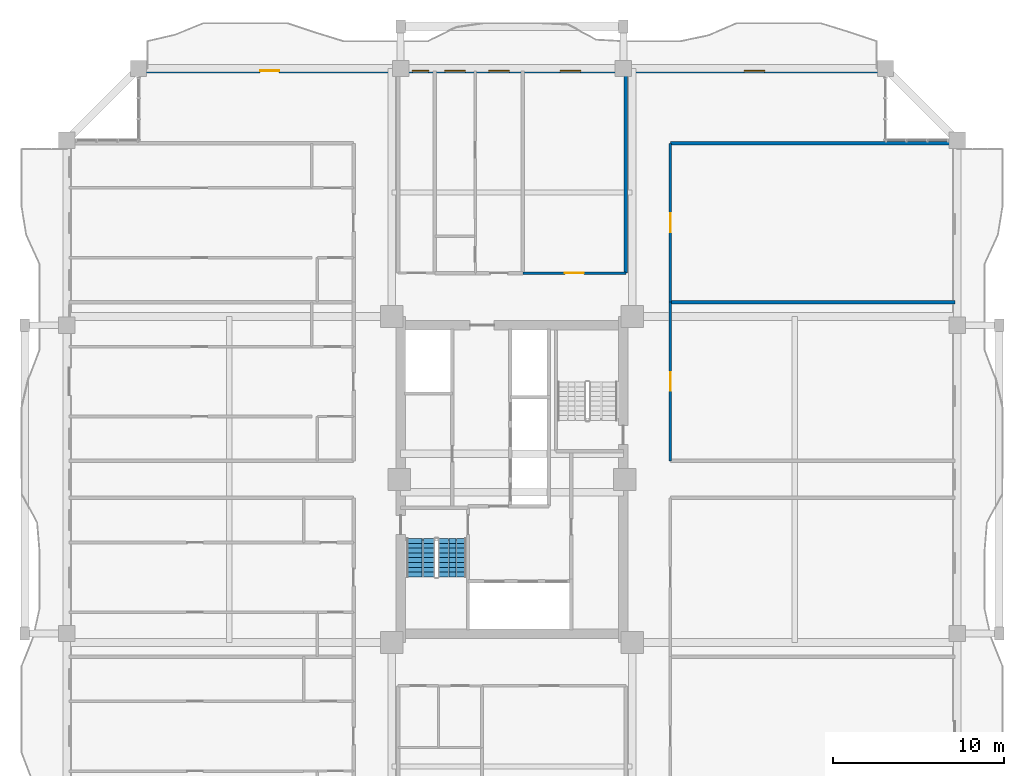
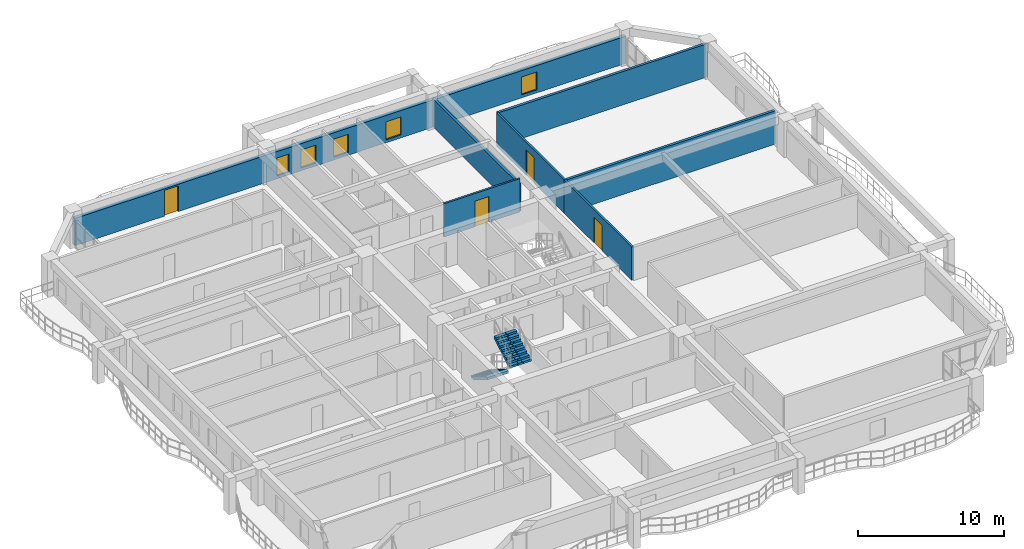
# One storey, part 17 of 22: 7 walls, 5 windows, 4 doors, 2 stair flights, 9 openings, 1 element without a shape of its own.
"""IFC4 building model written with IfcOpenShell, lengths in metres."""

from ifc_helpers import new_model, si_unit, direction, frame, frame_2d, origin, place, context, subcontext, project, spatial, polyline, rectangle, outline, extrude, source, transform, mapped, material, layer, layer_set, type_object, element, fill, aggregate, save


model = new_model("IFC4")

# Units and contexts
model_context = context("Model", 3, precision=1e-05, world=origin(), true_north=direction((0.0, 1.0)))
body_context = subcontext(model_context, "Body", "Model", "MODEL_VIEW")
ifc_project = project(units=[si_unit("LENGTHUNIT", "METRE"), si_unit("AREAUNIT", "SQUARE_METRE"), si_unit("VOLUMEUNIT", "CUBIC_METRE"), si_unit("PLANEANGLEUNIT", "RADIAN"), si_unit("MASSUNIT", "GRAM", prefix="KILO")], contexts=[model_context])

# Site, building, storey
site_placement = place(None, origin())
site = spatial("IfcSite", under=ifc_project, at=site_placement, CompositionType="ELEMENT")
building_placement = place(site_placement, origin())
building = spatial("IfcBuilding", under=site, at=building_placement, Name="Saelheon Loggia Tower", CompositionType="ELEMENT")
storey_placement = place(building_placement, frame((0.0, 0.0, 135.75)))
storey = spatial("IfcBuildingStorey", under=building, at=storey_placement, Name="L43", CompositionType="ELEMENT", Elevation=135.75)

# Wall, openings, windows, door
ifc_material_1 = material(Name="Architectural Precast Concrete C40/50", Category="concrete")
ifc_layer_1 = layer(ifc_material_1, 0.280029296875)
ifc_layer_set_1 = layer_set([ifc_layer_1], Name="Architectural Precast Concrete C40/50")
wall_type_1 = type_object("IfcWallType", Name="Wall_Ext_Loggia_280", PredefinedType="SOLIDWALL", material=ifc_layer_set_1)
wall_1_placement = place(storey_placement, frame((16.199951171875, 50.860107421875, 0.0), z_axis=(0.0, 0.0, 1.0), x_axis=(1.0, 0.0, 0.0)))
wall_1 = element("IfcWall", 1, at=wall_1_placement, inside=storey, type_object=wall_type_1, Name="L43 North Loggia Inner Wall", PredefinedType="SOLIDWALL", context=body_context, shape_type="SweptSolid", body=[
    extrude(rectangle(XDim=43.60009765625, YDim=0.280029296875, at=frame_2d((21.800048828125, 0.0))), origin(), (0.0, 0.0, 1.0), 2.280029296875),
])
opening_1_placement = place(wall_1_placement, frame((7.10009765625, 0.0, 0.0)))
opening_1 = element("IfcOpeningElement", 2, at=opening_1_placement, cuts=wall_1, Name="Opening TD1", PredefinedType="OPENING", context=body_context, shape_type="SweptSolid", body=[
    extrude(rectangle(XDim=1.10009765625, YDim=2.14990234375, at=frame_2d((0.550048828125, 1.074951171875))), frame((0.0, 0.152099609375, 0.0), z_axis=(0.0, -1.0, 0.0), x_axis=(1.0, 0.0, 0.0)), (0.0, 0.0, 1.0), 0.303955078125),
])
opening_2_placement = place(wall_1_placement, frame((15.982421875, 0.0, 0.25)))
opening_2 = element("IfcOpeningElement", 3, at=opening_2_placement, cuts=wall_1, Name="Opening WN-04", PredefinedType="OPENING", context=body_context, shape_type="SweptSolid", body=[
    extrude(rectangle(XDim=0.949951171875, YDim=1.5, at=frame_2d((0.47509765625, 0.75))), frame((0.0, 0.152099609375, 0.0), z_axis=(0.0, -1.0, 0.0), x_axis=(1.0, 0.0, 0.0)), (0.0, 0.0, 1.0), 0.303955078125),
])
opening_3_placement = place(wall_1_placement, frame((17.879638671875, 0.0, 0.25)))
opening_3 = element("IfcOpeningElement", 4, at=opening_3_placement, cuts=wall_1, Name="Opening WN-03", PredefinedType="OPENING", context=body_context, shape_type="SweptSolid", body=[
    extrude(rectangle(XDim=1.199951171875, YDim=1.5, at=frame_2d((0.60009765625, 0.75))), frame((0.0, 0.152099609375, 0.0), z_axis=(0.0, -1.0, 0.0), x_axis=(1.0, 0.0, 0.0)), (0.0, 0.0, 1.0), 0.303955078125),
])
opening_4_placement = place(wall_1_placement, frame((20.444091796875, 0.0, 0.25)))
opening_4 = element("IfcOpeningElement", 5, at=opening_4_placement, cuts=wall_1, Name="Opening WN-03", PredefinedType="OPENING", context=body_context, shape_type="SweptSolid", body=[
    extrude(rectangle(XDim=1.199951171875, YDim=1.5, at=frame_2d((0.60009765625, 0.75))), frame((0.0, 0.152099609375, 0.0), z_axis=(0.0, -1.0, 0.0), x_axis=(1.0, 0.0, 0.0)), (0.0, 0.0, 1.0), 0.303955078125),
])
opening_5_placement = place(wall_1_placement, frame((24.60693359375, 0.0, 0.25)))
opening_5 = element("IfcOpeningElement", 6, at=opening_5_placement, cuts=wall_1, Name="Opening WN-03", PredefinedType="OPENING", context=body_context, shape_type="SweptSolid", body=[
    extrude(rectangle(XDim=1.199951171875, YDim=1.5, at=frame_2d((0.60009765625, 0.75))), frame((0.0, 0.152099609375, 0.0), z_axis=(0.0, -1.0, 0.0), x_axis=(1.0, 0.0, 0.0)), (0.0, 0.0, 1.0), 0.303955078125),
])
opening_6_placement = place(wall_1_placement, frame((35.35009765625, 0.0, 0.25)))
opening_6 = element("IfcOpeningElement", 7, at=opening_6_placement, cuts=wall_1, Name="Opening WN-03", PredefinedType="OPENING", context=body_context, shape_type="SweptSolid", body=[
    extrude(rectangle(XDim=1.199951171875, YDim=1.5, at=frame_2d((0.60009765625, 0.75))), frame((0.0, 0.152099609375, 0.0), z_axis=(0.0, -1.0, 0.0), x_axis=(1.0, 0.0, 0.0)), (0.0, 0.0, 1.0), 0.303955078125),
])
ifc_material_2 = material(Name="Thermal-Break Aluminium and Triple Low-E Glass", Category="aluminium")
window_type_1 = type_object("IfcWindowType", Name="Win_Bedroom_1200x1500", PartitioningType="SINGLE_PANEL", PredefinedType="WINDOW", material=ifc_material_2)
shared_shape_1 = source(origin(), body_context, "Body", "SweptSolid", [
    extrude(rectangle(XDim=1.199951171875, YDim=1.5, at=frame_2d((0.60009765625, 0.75))), frame((0.0, 0.030029296875, 0.0), z_axis=(0.0, -1.0, 0.0), x_axis=(1.0, 0.0, 0.0)), (0.0, 0.0, 1.0), 0.06005859375),
])
window_1_placement = place(opening_3_placement, origin())
window_1 = element("IfcWindow", 8, at=window_1_placement, inside=storey, type_object=window_type_1, Name="L43 N Dwelling Window 3", OverallHeight=1.5, OverallWidth=1.199951171875, PartitioningType="SINGLE_PANEL", PredefinedType="WINDOW", context=body_context, shape_type="MappedRepresentation", body=[
    mapped(shared_shape_1, transform((0.0, 0.0, 0.0), scale=1.0)),
])
fill(opening_3, window_1)
window_2_placement = place(opening_4_placement, origin())
window_2 = element("IfcWindow", 9, at=window_2_placement, inside=storey, type_object=window_type_1, Name="L43 N Dwelling Window 4", OverallHeight=1.5, OverallWidth=1.199951171875, PartitioningType="SINGLE_PANEL", PredefinedType="WINDOW", context=body_context, shape_type="MappedRepresentation", body=[
    mapped(shared_shape_1, transform((0.0, 0.0, 0.0), scale=1.0)),
])
fill(opening_4, window_2)
window_3_placement = place(opening_5_placement, origin())
window_3 = element("IfcWindow", 10, at=window_3_placement, inside=storey, type_object=window_type_1, Name="L43 N Dwelling Window 5", OverallHeight=1.5, OverallWidth=1.199951171875, PartitioningType="SINGLE_PANEL", PredefinedType="WINDOW", context=body_context, shape_type="MappedRepresentation", body=[
    mapped(shared_shape_1, transform((0.0, 0.0, 0.0), scale=1.0)),
])
fill(opening_5, window_3)
window_4_placement = place(opening_6_placement, origin())
window_4 = element("IfcWindow", 11, at=window_4_placement, inside=storey, type_object=window_type_1, Name="L43 N Dwelling Window 6", OverallHeight=1.5, OverallWidth=1.199951171875, PartitioningType="SINGLE_PANEL", PredefinedType="WINDOW", context=body_context, shape_type="MappedRepresentation", body=[
    mapped(shared_shape_1, transform((0.0, 0.0, 0.0), scale=1.0)),
])
fill(opening_6, window_4)
ifc_material_3 = material(Name="Thermal-Break Aluminium Glazed Door", Category="aluminium")
door_type_1 = type_object("IfcDoorType", Name="Door_Terrace_TD1", OperationType="NOTDEFINED", PredefinedType="DOOR", material=ifc_material_3)
shared_shape_2 = source(origin(), body_context, "Body", "SweptSolid", [
    extrude(rectangle(XDim=1.10009765625, YDim=2.14990234375, at=frame_2d((0.550048828125, 1.074951171875))), frame((0.0, 0.02490234375, 0.0), z_axis=(0.0, -1.0, 0.0), x_axis=(1.0, 0.0, 0.0)), (0.0, 0.0, 1.0), 0.050048828125),
])
door_1_placement = place(opening_1_placement, origin())
door_1 = element("IfcDoor", 12, at=door_1_placement, inside=storey, type_object=door_type_1, Name="L43 N Loggia Access Door", OperationType="SINGLE_SWING_LEFT", OverallHeight=2.14990234375, OverallWidth=1.10009765625, PredefinedType="DOOR", context=body_context, shape_type="MappedRepresentation", body=[
    mapped(shared_shape_2, transform((0.0, 0.0, 0.0), scale=1.0)),
])
fill(opening_1, door_1)
window_type_2 = type_object("IfcWindowType", Name="Win_Narrow_950x1500", PartitioningType="SINGLE_PANEL", PredefinedType="WINDOW", material=ifc_material_2)
shared_shape_3 = source(origin(), body_context, "Body", "SweptSolid", [
    extrude(rectangle(XDim=0.949951171875, YDim=1.5, at=frame_2d((0.47509765625, 0.75))), frame((0.0, 0.030029296875, 0.0), z_axis=(0.0, -1.0, 0.0), x_axis=(1.0, 0.0, 0.0)), (0.0, 0.0, 1.0), 0.06005859375),
])
window_5_placement = place(opening_2_placement, origin())
window_5 = element("IfcWindow", 13, at=window_5_placement, inside=storey, type_object=window_type_2, Name="L43 N Dwelling Window 2", OverallHeight=1.5, OverallWidth=0.949951171875, PartitioningType="SINGLE_PANEL", PredefinedType="WINDOW", context=body_context, shape_type="MappedRepresentation", body=[
    mapped(shared_shape_3, transform((0.0, 0.0, 0.0), scale=1.0)),
])
fill(opening_2, window_5)

# Wall, opening, door
ifc_material_4 = material(Name="Lightweight Autoclaved Aerated Concrete Block and Acoustic Gypsum", Category="concrete")
ifc_layer_2 = layer(ifc_material_4, 0.14990234375)
ifc_layer_set_2 = layer_set([ifc_layer_2], Name="Lightweight Autoclaved Aerated Concrete Block and Acoustic Gypsum")
wall_type_2 = type_object("IfcWallType", Name="Wall_Part_150", PredefinedType="PARTITIONING", material=ifc_layer_set_2)
wall_2_placement = place(storey_placement, frame((38.62890625, 39.050048828125, 0.0), z_axis=(0.0, 0.0, 1.0), x_axis=(1.0, 0.0, 0.0)))
wall_2 = element("IfcWall", 14, at=wall_2_placement, inside=storey, type_object=wall_type_2, Name="L43 N Partition V12", PredefinedType="PARTITIONING", context=body_context, shape_type="SweptSolid", body=[
    extrude(rectangle(XDim=6.02099609375, YDim=0.14990234375, at=frame_2d((3.010498046875, 0.0))), origin(), (0.0, 0.0, 1.0), 2.7900390625),
])
opening_7_placement = place(wall_2_placement, frame((2.46044921875, 0.0, 0.0)))
opening_7 = element("IfcOpeningElement", 15, at=opening_7_placement, cuts=wall_2, Name="Opening D-FD2", PredefinedType="OPENING", context=body_context, shape_type="SweptSolid", body=[
    extrude(rectangle(XDim=1.10009765625, YDim=2.14990234375, at=frame_2d((0.550048828125, 1.074951171875))), frame((0.0, 0.0869140625, 0.0), z_axis=(0.0, -1.0, 0.0), x_axis=(1.0, 0.0, 0.0)), (0.0, 0.0, 1.0), 0.173828125),
])
ifc_material_5 = material(Name="Galvanised Steel Fire Door", Category="steel")
door_type_2 = type_object("IfcDoorType", Name="Door_Fire_FD60_1100", OperationType="NOTDEFINED", PredefinedType="DOOR", material=ifc_material_5)
door_2_placement = place(opening_7_placement, origin())
door_2 = element("IfcDoor", 16, at=door_2_placement, inside=storey, type_object=door_type_2, Name="L43 Community Reading Library Door A", OperationType="SINGLE_SWING_LEFT", OverallHeight=2.14990234375, OverallWidth=1.10009765625, PredefinedType="DOOR", context=body_context, shape_type="MappedRepresentation", body=[
    mapped(shared_shape_2, transform((0.0, 0.0, 0.0), scale=1.0)),
])
fill(opening_7, door_2)

wall_3_placement = place(storey_placement, frame((47.25, 28.080078125, 0.0), z_axis=(0.0, 0.0, 1.0), x_axis=(0.0, 1.0, 0.0)))
wall_3 = element("IfcWall", 17, at=wall_3_placement, inside=storey, type_object=wall_type_2, Name="L43 EN Partition V03", PredefinedType="PARTITIONING", context=body_context, shape_type="SweptSolid", body=[
    extrude(rectangle(XDim=9.27001953125, YDim=0.14990234375, at=frame_2d((4.635009765625, 0.0))), origin(), (0.0, 0.0, 1.0), 2.7900390625),
])
opening_8_placement = place(wall_3_placement, frame((4.0849609375, 0.0, 0.0)))
opening_8 = element("IfcOpeningElement", 18, at=opening_8_placement, cuts=wall_3, Name="Opening D-FD2", PredefinedType="OPENING", context=body_context, shape_type="SweptSolid", body=[
    extrude(rectangle(XDim=1.10009765625, YDim=2.14990234375, at=frame_2d((0.550048828125, 1.074951171875))), frame((0.0, 0.0869140625, 0.0), z_axis=(0.0, -1.0, 0.0), x_axis=(1.0, 0.0, 0.0)), (0.0, 0.0, 1.0), 0.173828125),
])
door_3_placement = place(opening_8_placement, origin())
door_3 = element("IfcDoor", 19, at=door_3_placement, inside=storey, type_object=door_type_2, Name="L43 Co-Working Open Plan Office Door A", OperationType="SINGLE_SWING_RIGHT", OverallHeight=2.14990234375, OverallWidth=1.10009765625, PredefinedType="DOOR", context=body_context, shape_type="MappedRepresentation", body=[
    mapped(shared_shape_2, transform((0.0, 0.0, 0.0), scale=1.0)),
])
fill(opening_8, door_3)

wall_4_placement = place(storey_placement, frame((47.25, 37.35009765625, 0.0), z_axis=(0.0, 0.0, 1.0), x_axis=(0.0, 1.0, 0.0)))
wall_4 = element("IfcWall", 20, at=wall_4_placement, inside=storey, type_object=wall_type_2, Name="L43 EN Partition V05", PredefinedType="PARTITIONING", context=body_context, shape_type="SweptSolid", body=[
    extrude(rectangle(XDim=9.27001953125, YDim=0.14990234375, at=frame_2d((4.635009765625, 0.0))), origin(), (0.0, 0.0, 1.0), 2.7900390625),
])
opening_9_placement = place(wall_4_placement, frame((4.0849609375, 0.0, 0.0)))
opening_9 = element("IfcOpeningElement", 21, at=opening_9_placement, cuts=wall_4, Name="Opening D-FD2", PredefinedType="OPENING", context=body_context, shape_type="SweptSolid", body=[
    extrude(rectangle(XDim=1.10009765625, YDim=2.14990234375, at=frame_2d((0.550048828125, 1.074951171875))), frame((0.0, 0.0869140625, 0.0), z_axis=(0.0, -1.0, 0.0), x_axis=(1.0, 0.0, 0.0)), (0.0, 0.0, 1.0), 0.173828125),
])
door_4_placement = place(opening_9_placement, origin())
door_4 = element("IfcDoor", 22, at=door_4_placement, inside=storey, type_object=door_type_2, Name="L43 Co-Working Open Plan Office Door A", OperationType="SINGLE_SWING_LEFT", OverallHeight=2.14990234375, OverallWidth=1.10009765625, PredefinedType="DOOR", context=body_context, shape_type="MappedRepresentation", body=[
    mapped(shared_shape_2, transform((0.0, 0.0, 0.0), scale=1.0)),
])
fill(opening_9, door_4)

# Walls
ifc_material_6 = material(Name="Double Acoustic Stud and Fireboard Partition", Category="gypsum")
ifc_layer_3 = layer(ifc_material_6, 0.199951171875)
ifc_layer_set_3 = layer_set([ifc_layer_3], Name="Double Acoustic Stud and Fireboard Partition")
wall_type_3 = type_object("IfcWallType", Name="Wall_Party_200", PredefinedType="PARTITIONING", material=ifc_layer_set_3)
wall_5_placement = place(storey_placement, frame((44.64990234375, 39.050048828125, 0.0), z_axis=(0.0, 0.0, 1.0), x_axis=(0.0, 1.0, 0.0)))
element("IfcWall", 23, at=wall_5_placement, inside=storey, type_object=wall_type_3, Name="L43 N Partition U02", PredefinedType="PARTITIONING", context=body_context, shape_type="SweptSolid", body=[
    extrude(rectangle(XDim=11.800048828125, YDim=0.199951171875, at=frame_2d((5.89990234375, 0.0))), origin(), (0.0, 0.0, 1.0), 2.340087890625),
])
for number, where, z_axis, x_axis, name in (
    (24, (47.25, 46.6201171875, 0.0), (0.0, 0.0, 1.0), (1.0, 0.0, 0.0), "L43 EN Partition U02"),
    (25, (47.25, 37.35009765625, 0.0), (0.0, 0.0, 1.0), (1.0, 0.0, 0.0), "L43 EN Partition U04"),
):
    element("IfcWall", number, at=place(storey_placement, frame(where, z_axis=z_axis, x_axis=x_axis)), inside=storey, type_object=wall_type_3, Name=name, PredefinedType="PARTITIONING", context=body_context, shape_type="SweptSolid", body=[
        extrude(rectangle(XDim=16.60009765625, YDim=0.199951171875, at=frame_2d((8.300048828125, 0.0))), origin(), (0.0, 0.0, 1.0), 2.7900390625),
    ])

# Stair, stair flights
ifc_material_7 = material(Name="Concrete C40/50", Category="concrete")
stair_type = type_object("IfcStairType", Name="Stair_Escape_Core", PredefinedType="HALF_TURN_STAIR", material=ifc_material_7)
stair_placement = place(storey_placement, origin())
stair = element("IfcStair", 26, at=stair_placement, inside=storey, type_object=stair_type, Name="L43 Special Escape Stair ST1", PredefinedType="HALF_TURN_STAIR")
stair_flight_type = type_object("IfcStairFlightType", Name="StairFlight_Tower_1660", PredefinedType="STRAIGHT", material=ifc_material_7)
stair_flight_1_placement = place(storey_placement, frame((32.679931640625, 23.550048828125, 0.0), z_axis=(0.0, 0.0, 1.0), x_axis=(0.0, -1.0, 0.0)))
stair_flight_1 = element("IfcStairFlight", 27, at=stair_flight_1_placement, type_object=stair_flight_type, Name="ST1 flight 1", NumberOfRisers=9, NumberOfTreads=8, PredefinedType="STRAIGHT", RiserHeight=0.166666667, TreadLength=0.28, context=body_context, shape_type="SweptSolid", body=[
    extrude(outline(polyline([(0.0, 0.0), (0.0, 0.166748046875), (0.280029296875, 0.166748046875), (0.280029296875, 0.333251953125), (0.56005859375, 0.333251953125), (0.56005859375, 0.5), (0.840087890625, 0.5), (0.840087890625, 0.666748046875), (1.1201171875, 0.666748046875), (1.1201171875, 0.833251953125), (1.39990234375, 0.833251953125), (1.39990234375, 1.0), (1.679931640625, 1.0), (1.679931640625, 1.166748046875), (1.9599609375, 1.166748046875), (1.9599609375, 1.333251953125), (2.239990234375, 1.333251953125), (2.239990234375, 1.5), (2.239990234375, 1.1240234375), (0.351806640625, 0.0), (0.0, 0.0)])), frame((0.0, -0.2490234375, 0.0), z_axis=(0.0, -1.0, 0.0), x_axis=(1.0, 0.0, 0.0)), (0.0, 0.0, 1.0), 0.5810546875),
    extrude(outline(polyline([(0.0, 0.0), (0.0, 0.166748046875), (0.280029296875, 0.166748046875), (0.280029296875, 0.333251953125), (0.56005859375, 0.333251953125), (0.56005859375, 0.5), (0.840087890625, 0.5), (0.840087890625, 0.666748046875), (1.1201171875, 0.666748046875), (1.1201171875, 0.833251953125), (1.39990234375, 0.833251953125), (1.39990234375, 1.0), (1.679931640625, 1.0), (1.679931640625, 1.166748046875), (1.9599609375, 1.166748046875), (1.9599609375, 1.333251953125), (2.239990234375, 1.333251953125), (2.239990234375, 1.5), (2.239990234375, 1.1240234375), (0.351806640625, 0.0), (0.0, 0.0)])), frame((0.0, -0.194091796875, 0.0), z_axis=(0.0, -1.0, 0.0), x_axis=(1.0, 0.0, 0.0)), (0.0, 0.0, 1.0), 0.0498046875),
    extrude(outline(polyline([(0.0, 0.0), (0.0, 0.166748046875), (0.280029296875, 0.166748046875), (0.280029296875, 0.333251953125), (0.56005859375, 0.333251953125), (0.56005859375, 0.5), (0.840087890625, 0.5), (0.840087890625, 0.666748046875), (1.1201171875, 0.666748046875), (1.1201171875, 0.833251953125), (1.39990234375, 0.833251953125), (1.39990234375, 1.0), (1.679931640625, 1.0), (1.679931640625, 1.166748046875), (1.9599609375, 1.166748046875), (1.9599609375, 1.333251953125), (2.239990234375, 1.333251953125), (2.239990234375, 1.5), (2.239990234375, 1.1240234375), (0.351806640625, 0.0), (0.0, 0.0)])), frame((0.0, -0.139404296875, 0.0), z_axis=(0.0, -1.0, 0.0), x_axis=(1.0, 0.0, 0.0)), (0.0, 0.0, 1.0), 0.0498046875),
    extrude(outline(polyline([(0.0, 0.0), (0.0, 0.166748046875), (0.280029296875, 0.166748046875), (0.280029296875, 0.333251953125), (0.56005859375, 0.333251953125), (0.56005859375, 0.5), (0.840087890625, 0.5), (0.840087890625, 0.666748046875), (1.1201171875, 0.666748046875), (1.1201171875, 0.833251953125), (1.39990234375, 0.833251953125), (1.39990234375, 1.0), (1.679931640625, 1.0), (1.679931640625, 1.166748046875), (1.9599609375, 1.166748046875), (1.9599609375, 1.333251953125), (2.239990234375, 1.333251953125), (2.239990234375, 1.5), (2.239990234375, 1.1240234375), (0.351806640625, 0.0), (0.0, 0.0)])), frame((0.0, -0.084716796875, 0.0), z_axis=(0.0, -1.0, 0.0), x_axis=(1.0, 0.0, 0.0)), (0.0, 0.0, 1.0), 0.0498046875),
    extrude(outline(polyline([(0.0, 0.0), (0.0, 0.166748046875), (0.280029296875, 0.166748046875), (0.280029296875, 0.333251953125), (0.56005859375, 0.333251953125), (0.56005859375, 0.5), (0.840087890625, 0.5), (0.840087890625, 0.666748046875), (1.1201171875, 0.666748046875), (1.1201171875, 0.833251953125), (1.39990234375, 0.833251953125), (1.39990234375, 1.0), (1.679931640625, 1.0), (1.679931640625, 1.166748046875), (1.9599609375, 1.166748046875), (1.9599609375, 1.333251953125), (2.239990234375, 1.333251953125), (2.239990234375, 1.5), (2.239990234375, 1.1240234375), (0.351806640625, 0.0), (0.0, 0.0)])), frame((0.0, -0.02978515625, 0.0), z_axis=(0.0, -1.0, 0.0), x_axis=(1.0, 0.0, 0.0)), (0.0, 0.0, 1.0), 0.0498046875),
    extrude(outline(polyline([(0.0, 0.0), (0.0, 0.166748046875), (0.280029296875, 0.166748046875), (0.280029296875, 0.333251953125), (0.56005859375, 0.333251953125), (0.56005859375, 0.5), (0.840087890625, 0.5), (0.840087890625, 0.666748046875), (1.1201171875, 0.666748046875), (1.1201171875, 0.833251953125), (1.39990234375, 0.833251953125), (1.39990234375, 1.0), (1.679931640625, 1.0), (1.679931640625, 1.166748046875), (1.9599609375, 1.166748046875), (1.9599609375, 1.333251953125), (2.239990234375, 1.333251953125), (2.239990234375, 1.5), (2.239990234375, 1.1240234375), (0.351806640625, 0.0), (0.0, 0.0)])), frame((0.0, 0.02490234375, 0.0), z_axis=(0.0, -1.0, 0.0), x_axis=(1.0, 0.0, 0.0)), (0.0, 0.0, 1.0), 0.0498046875),
    extrude(outline(polyline([(0.0, 0.0), (0.0, 0.166748046875), (0.280029296875, 0.166748046875), (0.280029296875, 0.333251953125), (0.56005859375, 0.333251953125), (0.56005859375, 0.5), (0.840087890625, 0.5), (0.840087890625, 0.666748046875), (1.1201171875, 0.666748046875), (1.1201171875, 0.833251953125), (1.39990234375, 0.833251953125), (1.39990234375, 1.0), (1.679931640625, 1.0), (1.679931640625, 1.166748046875), (1.9599609375, 1.166748046875), (1.9599609375, 1.333251953125), (2.239990234375, 1.333251953125), (2.239990234375, 1.5), (2.239990234375, 1.1240234375), (0.351806640625, 0.0), (0.0, 0.0)])), frame((0.0, 0.07958984375, 0.0), z_axis=(0.0, -1.0, 0.0), x_axis=(1.0, 0.0, 0.0)), (0.0, 0.0, 1.0), 0.0498046875),
    extrude(outline(polyline([(0.0, 0.0), (0.0, 0.166748046875), (0.280029296875, 0.166748046875), (0.280029296875, 0.333251953125), (0.56005859375, 0.333251953125), (0.56005859375, 0.5), (0.840087890625, 0.5), (0.840087890625, 0.666748046875), (1.1201171875, 0.666748046875), (1.1201171875, 0.833251953125), (1.39990234375, 0.833251953125), (1.39990234375, 1.0), (1.679931640625, 1.0), (1.679931640625, 1.166748046875), (1.9599609375, 1.166748046875), (1.9599609375, 1.333251953125), (2.239990234375, 1.333251953125), (2.239990234375, 1.5), (2.239990234375, 1.1240234375), (0.351806640625, 0.0), (0.0, 0.0)])), frame((0.0, 0.134521484375, 0.0), z_axis=(0.0, -1.0, 0.0), x_axis=(1.0, 0.0, 0.0)), (0.0, 0.0, 1.0), 0.0498046875),
    extrude(outline(polyline([(0.0, 0.0), (0.0, 0.166748046875), (0.280029296875, 0.166748046875), (0.280029296875, 0.333251953125), (0.56005859375, 0.333251953125), (0.56005859375, 0.5), (0.840087890625, 0.5), (0.840087890625, 0.666748046875), (1.1201171875, 0.666748046875), (1.1201171875, 0.833251953125), (1.39990234375, 0.833251953125), (1.39990234375, 1.0), (1.679931640625, 1.0), (1.679931640625, 1.166748046875), (1.9599609375, 1.166748046875), (1.9599609375, 1.333251953125), (2.239990234375, 1.333251953125), (2.239990234375, 1.5), (2.239990234375, 1.1240234375), (0.351806640625, 0.0), (0.0, 0.0)])), frame((0.0, 0.189208984375, 0.0), z_axis=(0.0, -1.0, 0.0), x_axis=(1.0, 0.0, 0.0)), (0.0, 0.0, 1.0), 0.0498046875),
    extrude(outline(polyline([(0.0, 0.0), (0.0, 0.166748046875), (0.280029296875, 0.166748046875), (0.280029296875, 0.333251953125), (0.56005859375, 0.333251953125), (0.56005859375, 0.5), (0.840087890625, 0.5), (0.840087890625, 0.666748046875), (1.1201171875, 0.666748046875), (1.1201171875, 0.833251953125), (1.39990234375, 0.833251953125), (1.39990234375, 1.0), (1.679931640625, 1.0), (1.679931640625, 1.166748046875), (1.9599609375, 1.166748046875), (1.9599609375, 1.333251953125), (2.239990234375, 1.333251953125), (2.239990234375, 1.5), (2.239990234375, 1.1240234375), (0.351806640625, 0.0), (0.0, 0.0)])), frame((0.0, 0.243896484375, 0.0), z_axis=(0.0, -1.0, 0.0), x_axis=(1.0, 0.0, 0.0)), (0.0, 0.0, 1.0), 0.0498046875),
    extrude(outline(polyline([(0.0, 0.0), (0.0, 0.166748046875), (0.280029296875, 0.166748046875), (0.280029296875, 0.333251953125), (0.56005859375, 0.333251953125), (0.56005859375, 0.5), (0.840087890625, 0.5), (0.840087890625, 0.666748046875), (1.1201171875, 0.666748046875), (1.1201171875, 0.833251953125), (1.39990234375, 0.833251953125), (1.39990234375, 1.0), (1.679931640625, 1.0), (1.679931640625, 1.166748046875), (1.9599609375, 1.166748046875), (1.9599609375, 1.333251953125), (2.239990234375, 1.333251953125), (2.239990234375, 1.5), (2.239990234375, 1.1240234375), (0.351806640625, 0.0), (0.0, 0.0)])), frame((0.0, 0.830078125, 0.0), z_axis=(0.0, -1.0, 0.0), x_axis=(1.0, 0.0, 0.0)), (0.0, 0.0, 1.0), 0.5810546875),
])
stair_flight_2_placement = place(storey_placement, frame((34.5, 21.31005859375, 1.5), z_axis=(0.0, 0.0, 1.0), x_axis=(0.0, 1.0, 0.0)))
stair_flight_2 = element("IfcStairFlight", 28, at=stair_flight_2_placement, type_object=stair_flight_type, Name="ST1 flight 2", NumberOfRisers=9, NumberOfTreads=8, PredefinedType="STRAIGHT", RiserHeight=0.166666667, TreadLength=0.28, context=body_context, shape_type="SweptSolid", body=[
    extrude(outline(polyline([(0.0, 0.0), (0.0, 0.166748046875), (0.280029296875, 0.166748046875), (0.280029296875, 0.333251953125), (0.56005859375, 0.333251953125), (0.56005859375, 0.5), (0.840087890625, 0.5), (0.840087890625, 0.666748046875), (1.1201171875, 0.666748046875), (1.1201171875, 0.833251953125), (1.39990234375, 0.833251953125), (1.39990234375, 1.0), (1.679931640625, 1.0), (1.679931640625, 1.166748046875), (1.9599609375, 1.166748046875), (1.9599609375, 1.333251953125), (2.239990234375, 1.333251953125), (2.239990234375, 1.5), (2.239990234375, 1.1240234375), (0.351806640625, 0.0), (0.0, 0.0)])), frame((0.0, -0.2490234375, 0.0), z_axis=(0.0, -1.0, 0.0), x_axis=(1.0, 0.0, 0.0)), (0.0, 0.0, 1.0), 0.5810546875),
    extrude(outline(polyline([(0.0, 0.0), (0.0, 0.166748046875), (0.280029296875, 0.166748046875), (0.280029296875, 0.333251953125), (0.56005859375, 0.333251953125), (0.56005859375, 0.5), (0.840087890625, 0.5), (0.840087890625, 0.666748046875), (1.1201171875, 0.666748046875), (1.1201171875, 0.833251953125), (1.39990234375, 0.833251953125), (1.39990234375, 1.0), (1.679931640625, 1.0), (1.679931640625, 1.166748046875), (1.9599609375, 1.166748046875), (1.9599609375, 1.333251953125), (2.239990234375, 1.333251953125), (2.239990234375, 1.5), (2.239990234375, 1.1240234375), (0.351806640625, 0.0), (0.0, 0.0)])), frame((0.0, -0.194091796875, 0.0), z_axis=(0.0, -1.0, 0.0), x_axis=(1.0, 0.0, 0.0)), (0.0, 0.0, 1.0), 0.0498046875),
    extrude(outline(polyline([(0.0, 0.0), (0.0, 0.166748046875), (0.280029296875, 0.166748046875), (0.280029296875, 0.333251953125), (0.56005859375, 0.333251953125), (0.56005859375, 0.5), (0.840087890625, 0.5), (0.840087890625, 0.666748046875), (1.1201171875, 0.666748046875), (1.1201171875, 0.833251953125), (1.39990234375, 0.833251953125), (1.39990234375, 1.0), (1.679931640625, 1.0), (1.679931640625, 1.166748046875), (1.9599609375, 1.166748046875), (1.9599609375, 1.333251953125), (2.239990234375, 1.333251953125), (2.239990234375, 1.5), (2.239990234375, 1.1240234375), (0.351806640625, 0.0), (0.0, 0.0)])), frame((0.0, -0.139404296875, 0.0), z_axis=(0.0, -1.0, 0.0), x_axis=(1.0, 0.0, 0.0)), (0.0, 0.0, 1.0), 0.0498046875),
    extrude(outline(polyline([(0.0, 0.0), (0.0, 0.166748046875), (0.280029296875, 0.166748046875), (0.280029296875, 0.333251953125), (0.56005859375, 0.333251953125), (0.56005859375, 0.5), (0.840087890625, 0.5), (0.840087890625, 0.666748046875), (1.1201171875, 0.666748046875), (1.1201171875, 0.833251953125), (1.39990234375, 0.833251953125), (1.39990234375, 1.0), (1.679931640625, 1.0), (1.679931640625, 1.166748046875), (1.9599609375, 1.166748046875), (1.9599609375, 1.333251953125), (2.239990234375, 1.333251953125), (2.239990234375, 1.5), (2.239990234375, 1.1240234375), (0.351806640625, 0.0), (0.0, 0.0)])), frame((0.0, -0.084716796875, 0.0), z_axis=(0.0, -1.0, 0.0), x_axis=(1.0, 0.0, 0.0)), (0.0, 0.0, 1.0), 0.0498046875),
    extrude(outline(polyline([(0.0, 0.0), (0.0, 0.166748046875), (0.280029296875, 0.166748046875), (0.280029296875, 0.333251953125), (0.56005859375, 0.333251953125), (0.56005859375, 0.5), (0.840087890625, 0.5), (0.840087890625, 0.666748046875), (1.1201171875, 0.666748046875), (1.1201171875, 0.833251953125), (1.39990234375, 0.833251953125), (1.39990234375, 1.0), (1.679931640625, 1.0), (1.679931640625, 1.166748046875), (1.9599609375, 1.166748046875), (1.9599609375, 1.333251953125), (2.239990234375, 1.333251953125), (2.239990234375, 1.5), (2.239990234375, 1.1240234375), (0.351806640625, 0.0), (0.0, 0.0)])), frame((0.0, -0.02978515625, 0.0), z_axis=(0.0, -1.0, 0.0), x_axis=(1.0, 0.0, 0.0)), (0.0, 0.0, 1.0), 0.0498046875),
    extrude(outline(polyline([(0.0, 0.0), (0.0, 0.166748046875), (0.280029296875, 0.166748046875), (0.280029296875, 0.333251953125), (0.56005859375, 0.333251953125), (0.56005859375, 0.5), (0.840087890625, 0.5), (0.840087890625, 0.666748046875), (1.1201171875, 0.666748046875), (1.1201171875, 0.833251953125), (1.39990234375, 0.833251953125), (1.39990234375, 1.0), (1.679931640625, 1.0), (1.679931640625, 1.166748046875), (1.9599609375, 1.166748046875), (1.9599609375, 1.333251953125), (2.239990234375, 1.333251953125), (2.239990234375, 1.5), (2.239990234375, 1.1240234375), (0.351806640625, 0.0), (0.0, 0.0)])), frame((0.0, 0.02490234375, 0.0), z_axis=(0.0, -1.0, 0.0), x_axis=(1.0, 0.0, 0.0)), (0.0, 0.0, 1.0), 0.0498046875),
    extrude(outline(polyline([(0.0, 0.0), (0.0, 0.166748046875), (0.280029296875, 0.166748046875), (0.280029296875, 0.333251953125), (0.56005859375, 0.333251953125), (0.56005859375, 0.5), (0.840087890625, 0.5), (0.840087890625, 0.666748046875), (1.1201171875, 0.666748046875), (1.1201171875, 0.833251953125), (1.39990234375, 0.833251953125), (1.39990234375, 1.0), (1.679931640625, 1.0), (1.679931640625, 1.166748046875), (1.9599609375, 1.166748046875), (1.9599609375, 1.333251953125), (2.239990234375, 1.333251953125), (2.239990234375, 1.5), (2.239990234375, 1.1240234375), (0.351806640625, 0.0), (0.0, 0.0)])), frame((0.0, 0.07958984375, 0.0), z_axis=(0.0, -1.0, 0.0), x_axis=(1.0, 0.0, 0.0)), (0.0, 0.0, 1.0), 0.0498046875),
    extrude(outline(polyline([(0.0, 0.0), (0.0, 0.166748046875), (0.280029296875, 0.166748046875), (0.280029296875, 0.333251953125), (0.56005859375, 0.333251953125), (0.56005859375, 0.5), (0.840087890625, 0.5), (0.840087890625, 0.666748046875), (1.1201171875, 0.666748046875), (1.1201171875, 0.833251953125), (1.39990234375, 0.833251953125), (1.39990234375, 1.0), (1.679931640625, 1.0), (1.679931640625, 1.166748046875), (1.9599609375, 1.166748046875), (1.9599609375, 1.333251953125), (2.239990234375, 1.333251953125), (2.239990234375, 1.5), (2.239990234375, 1.1240234375), (0.351806640625, 0.0), (0.0, 0.0)])), frame((0.0, 0.134521484375, 0.0), z_axis=(0.0, -1.0, 0.0), x_axis=(1.0, 0.0, 0.0)), (0.0, 0.0, 1.0), 0.0498046875),
    extrude(outline(polyline([(0.0, 0.0), (0.0, 0.166748046875), (0.280029296875, 0.166748046875), (0.280029296875, 0.333251953125), (0.56005859375, 0.333251953125), (0.56005859375, 0.5), (0.840087890625, 0.5), (0.840087890625, 0.666748046875), (1.1201171875, 0.666748046875), (1.1201171875, 0.833251953125), (1.39990234375, 0.833251953125), (1.39990234375, 1.0), (1.679931640625, 1.0), (1.679931640625, 1.166748046875), (1.9599609375, 1.166748046875), (1.9599609375, 1.333251953125), (2.239990234375, 1.333251953125), (2.239990234375, 1.5), (2.239990234375, 1.1240234375), (0.351806640625, 0.0), (0.0, 0.0)])), frame((0.0, 0.189208984375, 0.0), z_axis=(0.0, -1.0, 0.0), x_axis=(1.0, 0.0, 0.0)), (0.0, 0.0, 1.0), 0.0498046875),
    extrude(outline(polyline([(0.0, 0.0), (0.0, 0.166748046875), (0.280029296875, 0.166748046875), (0.280029296875, 0.333251953125), (0.56005859375, 0.333251953125), (0.56005859375, 0.5), (0.840087890625, 0.5), (0.840087890625, 0.666748046875), (1.1201171875, 0.666748046875), (1.1201171875, 0.833251953125), (1.39990234375, 0.833251953125), (1.39990234375, 1.0), (1.679931640625, 1.0), (1.679931640625, 1.166748046875), (1.9599609375, 1.166748046875), (1.9599609375, 1.333251953125), (2.239990234375, 1.333251953125), (2.239990234375, 1.5), (2.239990234375, 1.1240234375), (0.351806640625, 0.0), (0.0, 0.0)])), frame((0.0, 0.243896484375, 0.0), z_axis=(0.0, -1.0, 0.0), x_axis=(1.0, 0.0, 0.0)), (0.0, 0.0, 1.0), 0.0498046875),
    extrude(outline(polyline([(0.0, 0.0), (0.0, 0.166748046875), (0.280029296875, 0.166748046875), (0.280029296875, 0.333251953125), (0.56005859375, 0.333251953125), (0.56005859375, 0.5), (0.840087890625, 0.5), (0.840087890625, 0.666748046875), (1.1201171875, 0.666748046875), (1.1201171875, 0.833251953125), (1.39990234375, 0.833251953125), (1.39990234375, 1.0), (1.679931640625, 1.0), (1.679931640625, 1.166748046875), (1.9599609375, 1.166748046875), (1.9599609375, 1.333251953125), (2.239990234375, 1.333251953125), (2.239990234375, 1.5), (2.239990234375, 1.1240234375), (0.351806640625, 0.0), (0.0, 0.0)])), frame((0.0, 0.830078125, 0.0), z_axis=(0.0, -1.0, 0.0), x_axis=(1.0, 0.0, 0.0)), (0.0, 0.0, 1.0), 0.5810546875),
])
aggregate(stair, [stair_flight_1, stair_flight_2])

save(model, "model.ifc")
